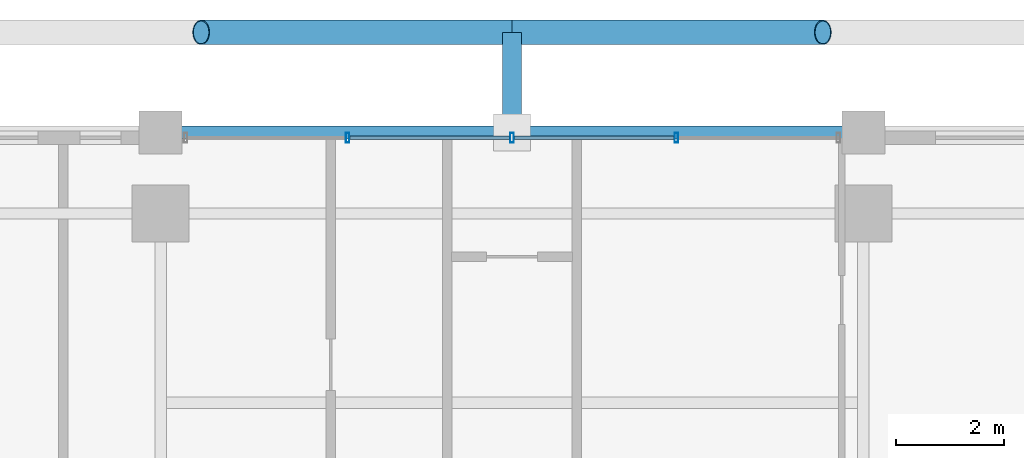
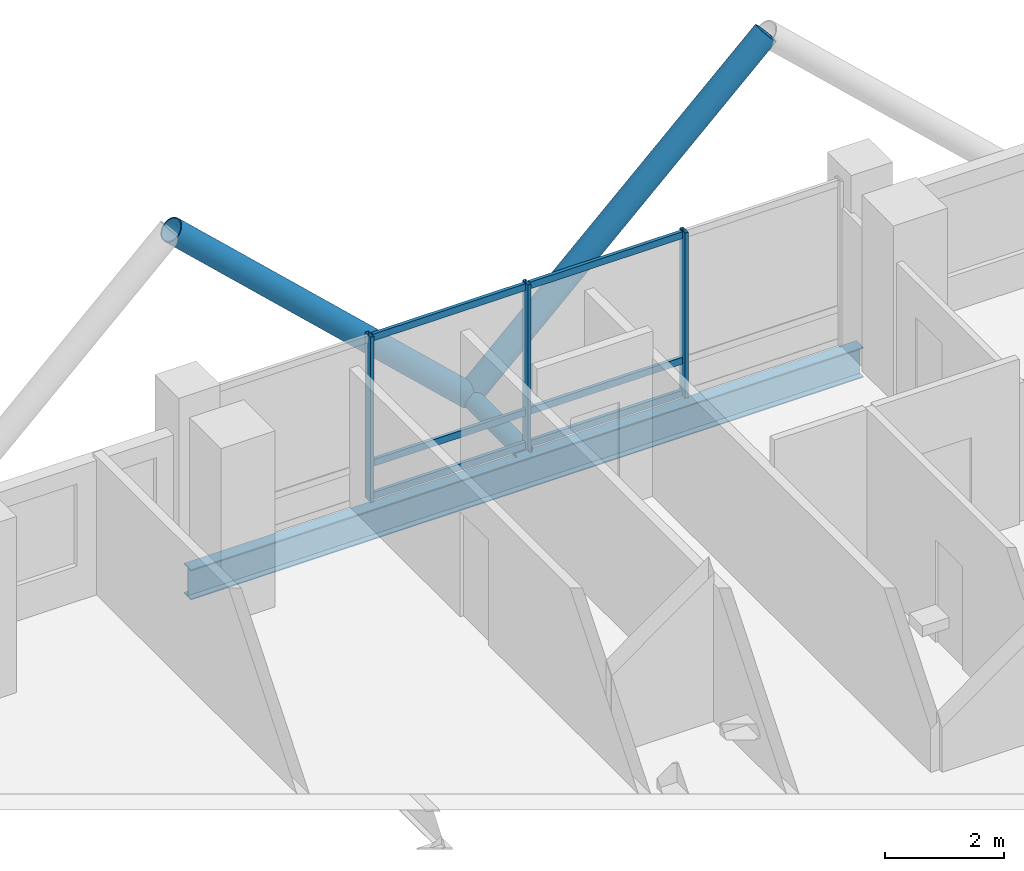
# One storey, part 17 of 26: 12 members, 1 beam, 1 element without a shape of its own.
"""IFC4 building model written with IfcOpenShell, lengths in metres."""

from ifc_helpers import new_model, si_unit, direction, frame, origin, origin_2d, place, context, subcontext, project, spatial, hollow_rectangle, hollow_circle, i_section, extrude, material, layer, layer_set, material_profile, profile_set, type_object, element, aggregate, save


model = new_model("IFC4")

# Units and contexts
model_context = context("Model", 3, precision=1e-05, world=origin(), true_north=direction((0.0, 1.0)))
body_context = subcontext(model_context, "Body", "Model", "MODEL_VIEW")
ifc_project = project(units=[si_unit("LENGTHUNIT", "METRE"), si_unit("AREAUNIT", "SQUARE_METRE"), si_unit("VOLUMEUNIT", "CUBIC_METRE"), si_unit("PLANEANGLEUNIT", "RADIAN"), si_unit("MASSUNIT", "GRAM", prefix="KILO")], contexts=[model_context])

# Site, building, storey
site_placement = place(None, origin())
site = spatial("IfcSite", under=ifc_project, at=site_placement, CompositionType="ELEMENT")
building_placement = place(site_placement, origin())
building = spatial("IfcBuilding", under=site, at=building_placement, Name="Barlavira Tower and Art Museum", CompositionType="ELEMENT")
storey_placement = place(building_placement, frame((0.0, 0.0, 176.39990234375)))
storey = spatial("IfcBuildingStorey", under=building, at=storey_placement, Name="L45", CompositionType="ELEMENT", Elevation=176.39990234375)

# Curtain wall, members
ifc_material_1 = material(Name="Low-iron coastal laminated glass", Category="glass")
ifc_layer = layer(ifc_material_1, 0.199951171875, Name="Low-iron coastal laminated glass")
ifc_layer_set = layer_set([ifc_layer], Name="Low-iron coastal laminated glass")
curtain_wall_type = type_object("IfcCurtainWallType", Name="Pale-Metal Unitised Curtain Wall Zone 3", PredefinedType="NOTDEFINED", material=ifc_layer_set)
curtain_wall_placement = place(storey_placement, origin())
curtain_wall = element("IfcCurtainWall", 1, at=curtain_wall_placement, inside=storey, type_object=curtain_wall_type, Name="L45 Curtain Wall CW3-L45-N-B3", PredefinedType="NOTDEFINED")
ifc_material_2 = material(Name="Pale anodised aluminium", Category="aluminium")
ifc_material_profile_1 = material_profile(ifc_material_2, hollow_rectangle(XDim=0.06494140625, YDim=0.179931640625, WallThickness=0.00390625, at=origin_2d()), Name="ALU-MULL 65x180x4")
ifc_profile_set_1 = profile_set([ifc_material_profile_1], Name="Pale anodised aluminium")
member_type_1 = type_object("IfcMemberType", Name="Curtain Wall Pale-Metal Mullion 65x180", PredefinedType="MULLION", material=ifc_profile_set_1)
member_1_placement = place(storey_placement, frame((3.0400390625, 21.39990234375, 0.0), z_axis=(0.0, 0.0, 1.0), x_axis=(-1.0, 0.0, 0.0)))
member_1 = element("IfcMember", 2, at=member_1_placement, type_object=member_type_1, Name="CW3-L45-N-B3 Mullion 1", PredefinedType="MULLION", context=body_context, shape_type="SweptSolid", body=[
    extrude(hollow_rectangle(XDim=0.06494140625, YDim=0.179931640625, WallThickness=0.00390625, at=origin_2d()), origin(), (0.0, 0.0, 1.0), 3.380126953125),
])
member_2_placement = place(storey_placement, frame((0.0, 21.39990234375, 0.0), z_axis=(0.0, 0.0, 1.0), x_axis=(-1.0, 0.0, 0.0)))
member_2 = element("IfcMember", 3, at=member_2_placement, type_object=member_type_1, Name="CW3-L45-N-B3 Mullion 2", PredefinedType="MULLION", context=body_context, shape_type="SweptSolid", body=[
    extrude(hollow_rectangle(XDim=0.06494140625, YDim=0.179931640625, WallThickness=0.00390625, at=origin_2d()), origin(), (0.0, 0.0, 1.0), 3.380126953125),
])
member_3_placement = place(storey_placement, frame((-3.0400390625, 21.39990234375, 0.0), z_axis=(0.0, 0.0, 1.0), x_axis=(-1.0, 0.0, 0.0)))
member_3 = element("IfcMember", 4, at=member_3_placement, type_object=member_type_1, Name="CW3-L45-N-B3 Mullion 3", PredefinedType="MULLION", context=body_context, shape_type="SweptSolid", body=[
    extrude(hollow_rectangle(XDim=0.06494140625, YDim=0.179931640625, WallThickness=0.00390625, at=origin_2d()), origin(), (0.0, 0.0, 1.0), 3.380126953125),
])
ifc_material_profile_2 = material_profile(ifc_material_2, hollow_rectangle(XDim=0.06494140625, YDim=0.139892578125, WallThickness=0.00390625, at=origin_2d()), Name="ALU-TRAN 65x140x4")
ifc_profile_set_2 = profile_set([ifc_material_profile_2], Name="Pale anodised aluminium")
member_type_2 = type_object("IfcMemberType", Name="Curtain Wall Pale-Metal Transom 65x140", PredefinedType="USERDEFINED", material=ifc_profile_set_2)
member_4_placement = place(storey_placement, frame((2.9951171875, 21.39990234375, 0.070068359375), z_axis=(-1.0, 0.0, 0.0), x_axis=(0.0, -1.0, 0.0)))
member_4 = element("IfcMember", 5, at=member_4_placement, type_object=member_type_2, Name="CW3-L45-N-B3 Transom 1.1", ObjectType="TRANSOM", PredefinedType="USERDEFINED", context=body_context, shape_type="SweptSolid", body=[
    extrude(hollow_rectangle(XDim=0.06494140625, YDim=0.139892578125, WallThickness=0.00390625, at=origin_2d()), origin(), (0.0, 0.0, 1.0), 2.9501953125),
])
member_5_placement = place(storey_placement, frame((2.9951171875, 21.39990234375, 0.744140625), z_axis=(-1.0, 0.0, 0.0), x_axis=(0.0, -1.0, 0.0)))
member_5 = element("IfcMember", 6, at=member_5_placement, type_object=member_type_2, Name="CW3-L45-N-B3 Transom 1.2", ObjectType="TRANSOM", PredefinedType="USERDEFINED", context=body_context, shape_type="SweptSolid", body=[
    extrude(hollow_rectangle(XDim=0.06494140625, YDim=0.139892578125, WallThickness=0.00390625, at=origin_2d()), origin(), (0.0, 0.0, 1.0), 2.9501953125),
])
member_6_placement = place(storey_placement, frame((2.9951171875, 21.39990234375, 3.31005859375), z_axis=(-1.0, 0.0, 0.0), x_axis=(0.0, -1.0, 0.0)))
member_6 = element("IfcMember", 7, at=member_6_placement, type_object=member_type_2, Name="CW3-L45-N-B3 Transom 1.3", ObjectType="TRANSOM", PredefinedType="USERDEFINED", context=body_context, shape_type="SweptSolid", body=[
    extrude(hollow_rectangle(XDim=0.06494140625, YDim=0.139892578125, WallThickness=0.00390625, at=origin_2d()), origin(), (0.0, 0.0, 1.0), 2.9501953125),
])
member_7_placement = place(storey_placement, frame((-0.044921875, 21.39990234375, 0.070068359375), z_axis=(-1.0, 0.0, 0.0), x_axis=(0.0, -1.0, 0.0)))
member_7 = element("IfcMember", 8, at=member_7_placement, type_object=member_type_2, Name="CW3-L45-N-B3 Transom 2.1", ObjectType="TRANSOM", PredefinedType="USERDEFINED", context=body_context, shape_type="SweptSolid", body=[
    extrude(hollow_rectangle(XDim=0.06494140625, YDim=0.139892578125, WallThickness=0.00390625, at=origin_2d()), origin(), (0.0, 0.0, 1.0), 2.9501953125),
])
member_8_placement = place(storey_placement, frame((-0.044921875, 21.39990234375, 0.744140625), z_axis=(-1.0, 0.0, 0.0), x_axis=(0.0, -1.0, 0.0)))
member_8 = element("IfcMember", 9, at=member_8_placement, type_object=member_type_2, Name="CW3-L45-N-B3 Transom 2.2", ObjectType="TRANSOM", PredefinedType="USERDEFINED", context=body_context, shape_type="SweptSolid", body=[
    extrude(hollow_rectangle(XDim=0.06494140625, YDim=0.139892578125, WallThickness=0.00390625, at=origin_2d()), origin(), (0.0, 0.0, 1.0), 2.9501953125),
])
member_9_placement = place(storey_placement, frame((-0.044921875, 21.39990234375, 3.31005859375), z_axis=(-1.0, 0.0, 0.0), x_axis=(0.0, -1.0, 0.0)))
member_9 = element("IfcMember", 10, at=member_9_placement, type_object=member_type_2, Name="CW3-L45-N-B3 Transom 2.3", ObjectType="TRANSOM", PredefinedType="USERDEFINED", context=body_context, shape_type="SweptSolid", body=[
    extrude(hollow_rectangle(XDim=0.06494140625, YDim=0.139892578125, WallThickness=0.00390625, at=origin_2d()), origin(), (0.0, 0.0, 1.0), 2.9501953125),
])
aggregate(curtain_wall, [member_1, member_2, member_3, member_4, member_5, member_6, member_7, member_8, member_9])

# Members
ifc_material_3 = material(Name="Steel S355", Category="steel")
ifc_material_profile_3 = material_profile(ifc_material_3, hollow_circle(Radius=0.228515625, WallThickness=0.02001953125, at=origin_2d()), Name="CHS 457.0x20.0")
ifc_profile_set_3 = profile_set([ifc_material_profile_3], Name="Steel S355")
member_type_3 = type_object("IfcMemberType", Name="Pale-Metal Exoskeleton Diagrid Tube CHS 457x20 Steel S355", PredefinedType="BRACE", material=ifc_profile_set_3)
for number, where, z_axis, x_axis, name in (
    (11, (0.0, 23.35009765625, -0.119873046875), (-0.728950095515, 0.0, 0.684566839869), (0.0, -1.0, 0.0), "L45 Exoskeleton Diagrid Tube N"),
    (12, (0.0, 23.35009765625, -0.119873046875), (0.728950095515, 0.0, 0.684566839869), (0.0, 1.0, 0.0), "L45 Exoskeleton Diagrid Tube N"),
):
    element("IfcMember", number, at=place(storey_placement, frame(where, z_axis=z_axis, x_axis=x_axis)), inside=storey, type_object=member_type_3, Name=name, PredefinedType="BRACE", context=body_context, shape_type="SweptSolid", body=[
        extrude(hollow_circle(Radius=0.228515625, WallThickness=0.02001953125, at=origin_2d()), origin(), (0.0, 0.0, 1.0), 7.887939453125),
    ])
ifc_material_profile_4 = material_profile(ifc_material_3, hollow_circle(Radius=0.177734375, WallThickness=0.01611328125, at=origin_2d()), Name="CHS 355.6x16.0")
ifc_profile_set_4 = profile_set([ifc_material_profile_4], Name="Steel S355")
member_type_4 = type_object("IfcMemberType", Name="Pale-Metal Exoskeleton Tie Strut CHS 356x16 Steel S355", PredefinedType="STRUT", material=ifc_profile_set_4)
member_10_placement = place(storey_placement, frame((0.0, 23.35009765625, -0.119873046875), z_axis=(0.0, -1.0, 0.0), x_axis=(1.0, 0.0, 0.0)))
element("IfcMember", 13, at=member_10_placement, inside=storey, type_object=member_type_4, Name="L45 Exoskeleton Tie Strut N2", PredefinedType="STRUT", context=body_context, shape_type="SweptSolid", body=[
    extrude(hollow_circle(Radius=0.177734375, WallThickness=0.01611328125, at=origin_2d()), origin(), (0.0, 0.0, 1.0), 1.85009765625),
])

# Beam
ifc_material_profile_5 = material_profile(ifc_material_3, i_section(OverallWidth=0.22998046875, OverallDepth=0.616943359375, WebThickness=0.01318359375, FlangeThickness=0.022216796875, at=origin_2d()), Name="W610x140.0")
ifc_profile_set_5 = profile_set([ifc_material_profile_5], Name="Steel S355")
beam_type = type_object("IfcBeamType", Name="Upper Shaft Spandrel Edge Beam W610x140 Steel S355", PredefinedType="SPANDREL", material=ifc_profile_set_5)
beam_placement = place(storey_placement, frame((-6.5, 21.5, -0.5283203125), z_axis=(1.0, 0.0, 0.0), x_axis=(0.0, 1.0, 0.0)))
element("IfcBeam", 14, at=beam_placement, inside=storey, type_object=beam_type, Name="L45 Spandrel 10", PredefinedType="SPANDREL", context=body_context, shape_type="SweptSolid", body=[
    extrude(i_section(OverallWidth=0.22998046875, OverallDepth=0.616943359375, WebThickness=0.01318359375, FlangeThickness=0.022216796875, at=origin_2d()), origin(), (0.0, 0.0, 1.0), 13.0),
])

save(model, "model.ifc")
